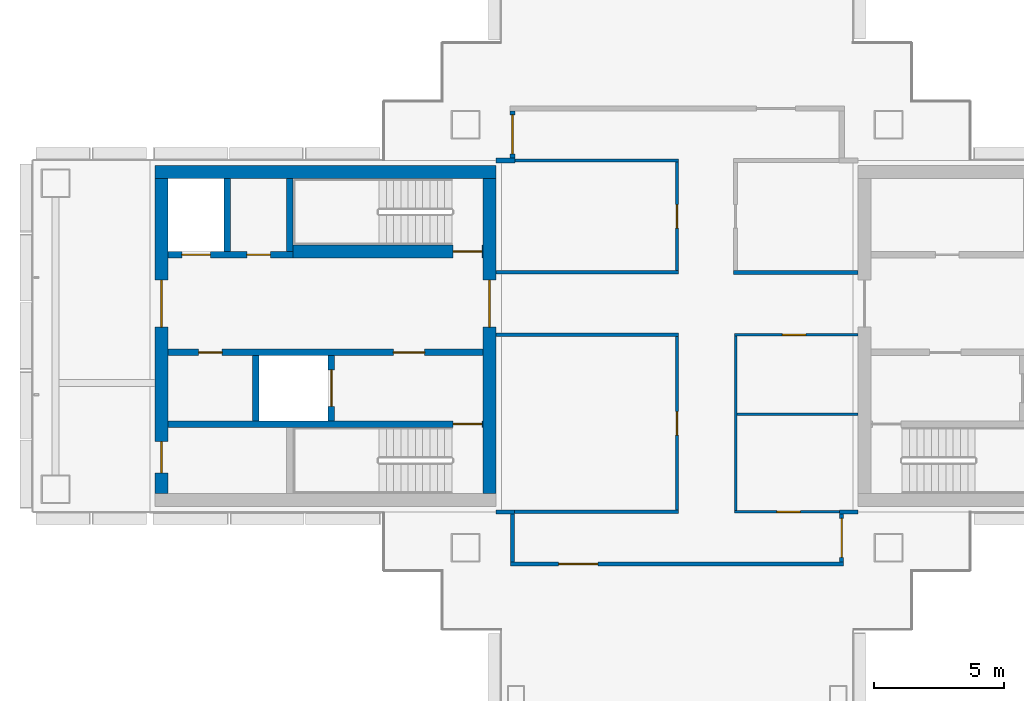
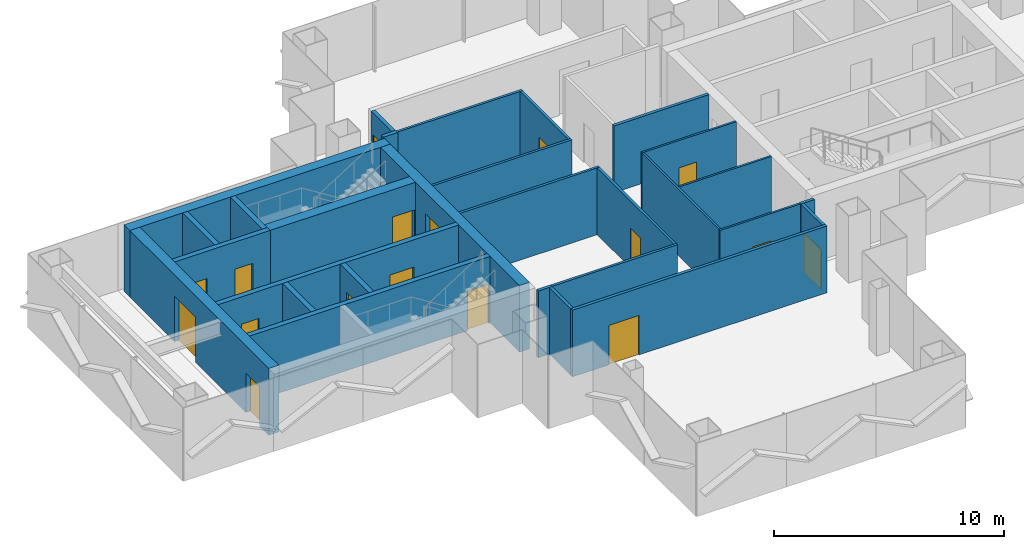
# One storey, part 9 of 16: 29 walls, 17 doors, 17 openings.
"""IFC4 building model written with IfcOpenShell, lengths in metres."""

from ifc_helpers import new_model, si_unit, direction, frame, frame_2d, origin, place, context, subcontext, project, spatial, rectangle, extrude, material, layer, layer_set, type_object, element, fill, save


model = new_model("IFC4")

# Units and contexts
model_context = context("Model", 3, precision=1e-05, world=origin(), true_north=direction((0.0, 1.0)))
body_context = subcontext(model_context, "Body", "Model", "MODEL_VIEW")
ifc_project = project(units=[si_unit("LENGTHUNIT", "METRE"), si_unit("AREAUNIT", "SQUARE_METRE"), si_unit("VOLUMEUNIT", "CUBIC_METRE"), si_unit("PLANEANGLEUNIT", "RADIAN"), si_unit("MASSUNIT", "GRAM", prefix="KILO")], contexts=[model_context])

# Site, building, storey
site_placement = place(None, origin())
site = spatial("IfcSite", under=ifc_project, at=site_placement, CompositionType="ELEMENT")
building_placement = place(site_placement, origin())
building = spatial("IfcBuilding", under=site, at=building_placement, Name="Shamsa Quay Exchange Towers", CompositionType="ELEMENT")
storey_placement = place(building_placement, frame((0.0, 0.0, 146.699951171875)))
storey = spatial("IfcBuildingStorey", under=building, at=storey_placement, Name="L34", CompositionType="ELEMENT", Elevation=146.699951171875)

# Wall, opening, door
ifc_material_1 = material(Name="Double-leaf gypsum board partition with acoustic insulation")
ifc_layer_1 = layer(ifc_material_1, 0.199951171875)
ifc_layer_set_1 = layer_set([ifc_layer_1], Name="Acoustic partition 200 mm EI 60")
wall_type_1 = type_object("IfcWallType", Name="Acoustic partition 200 mm EI 60", PredefinedType="PARTITIONING", material=ifc_layer_set_1)
wall_1_placement = place(storey_placement, frame((-40.0751953125, 8.64990234375, 0.0), z_axis=(0.0, 0.0, 1.0), x_axis=(0.0, -1.0, 0.0)))
wall_1 = element("IfcWall", 1, at=wall_1_placement, inside=storey, type_object=wall_type_1, Name="Partition T1-R16-W13", PredefinedType="PARTITIONING", context=body_context, shape_type="SweptSolid", body=[
    extrude(rectangle(XDim=1.7998046875, YDim=0.199951171875, at=frame_2d((0.89990234375, 0.0))), origin(), (0.0, 0.0, 1.0), 3.550048828125),
])
opening_1_placement = place(wall_1_placement, frame((0.14990234375, 0.0, 0.0)))
opening_1 = element("IfcOpeningElement", 2, at=opening_1_placement, cuts=wall_1, Name="Opening T1-R16-D02", PredefinedType="OPENING", context=body_context, shape_type="SweptSolid", body=[
    extrude(rectangle(XDim=1.5, YDim=2.39990234375, at=frame_2d((0.75, 1.199951171875))), frame((0.0, 0.10986328125, 0.0), z_axis=(0.0, -1.0, 0.0), x_axis=(1.0, 0.0, 0.0)), (0.0, 0.0, 1.0), 0.219970703125),
])
ifc_material_2 = material(Name="Timber door leaf in a metal frame", Category="wood")
door_type_1 = type_object("IfcDoorType", Name="Door 1500x2400 FD30S pair", OperationType="NOTDEFINED", PredefinedType="DOOR", material=ifc_material_2)
door_1_placement = place(opening_1_placement, origin())
door_1 = element("IfcDoor", 3, at=door_1_placement, inside=storey, type_object=door_type_1, Name="Door T1-R16-D02", OperationType="DOUBLE_DOOR_SINGLE_SWING", OverallHeight=2.39990234375, OverallWidth=1.5, PredefinedType="DOOR", context=body_context, shape_type="SweptSolid", body=[
    extrude(rectangle(XDim=1.5, YDim=2.39990234375, at=frame_2d((0.75, 1.199951171875))), frame((0.0, 0.02490234375, 0.0), z_axis=(0.0, -1.0, 0.0), x_axis=(1.0, 0.0, 0.0)), (0.0, 0.0, 1.0), 0.050048828125),
])
fill(opening_1, door_1)

# Walls
wall_2_placement = place(storey_placement, frame((-39.97509765625, 6.75, 0.0), z_axis=(0.0, 0.0, 1.0), x_axis=(-1.0, 0.0, 0.0)))
element("IfcWall", 4, at=wall_2_placement, inside=storey, type_object=wall_type_1, Name="Partition T1-R16-W20", PredefinedType="PARTITIONING", context=body_context, shape_type="SweptSolid", body=[
    extrude(rectangle(XDim=0.724853515625, YDim=0.199951171875, at=frame_2d((0.3623046875, 0.0))), origin(), (0.0, 0.0, 1.0), 3.550048828125),
])
ifc_material_3 = material(Name="Concrete C60/75", Category="concrete")
ifc_layer_2 = layer(ifc_material_3, 0.5)
ifc_layer_set_2 = layer_set([ifc_layer_2], Name="CORE WALL 500 C60/75")
wall_type_2 = type_object("IfcWallType", Name="CORE WALL 500 C60/75", PredefinedType="SHEAR", material=ifc_layer_set_2)
wall_3_placement = place(storey_placement, frame((-40.699951171875, 6.300048828125, 0.0), z_axis=(0.0, 0.0, 1.0), x_axis=(-1.0, 0.0, 0.0)))
element("IfcWall", 5, at=wall_3_placement, inside=storey, type_object=wall_type_2, Name="Core wall T1B-R16-PN", PredefinedType="SHEAR", context=body_context, shape_type="SweptSolid", body=[
    extrude(rectangle(XDim=13.10009765625, YDim=0.5, at=frame_2d((6.550048828125, 0.0))), origin(), (0.0, 0.0, 1.0), 3.550048828125),
])

# Wall, opening, door
wall_4_placement = place(storey_placement, frame((-40.949951171875, -6.050048828125, 0.0), z_axis=(0.0, 0.0, 1.0), x_axis=(0.0, 1.0, 0.0)))
wall_4 = element("IfcWall", 6, at=wall_4_placement, inside=storey, type_object=wall_type_2, Name="Core wall T1B-R16-PF", PredefinedType="SHEAR", context=body_context, shape_type="SweptSolid", body=[
    extrude(rectangle(XDim=12.10009765625, YDim=0.5, at=frame_2d((6.050048828125, 0.0))), origin(), (0.0, 0.0, 1.0), 3.550048828125),
])
opening_2_placement = place(wall_4_placement, frame((6.39990234375, 0.0, 0.0)))
opening_2 = element("IfcOpeningElement", 7, at=opening_2_placement, cuts=wall_4, Name="Opening T1B-R16-LBD01", PredefinedType="OPENING", context=body_context, shape_type="SweptSolid", body=[
    extrude(rectangle(XDim=1.800048828125, YDim=2.39990234375, at=frame_2d((0.89990234375, 1.199951171875))), frame((0.0, 0.260009765625, 0.0), z_axis=(0.0, -1.0, 0.0), x_axis=(1.0, 0.0, 0.0)), (0.0, 0.0, 1.0), 0.52001953125),
])
ifc_material_4 = material(Name="Steel, fire rated", Category="steel")
door_type_2 = type_object("IfcDoorType", Name="LIFT LOBBY DOOR PAIR 1800", OperationType="DOUBLE_DOOR_SINGLE_SWING", PredefinedType="DOOR", material=ifc_material_4)
door_2_placement = place(opening_2_placement, origin())
door_2 = element("IfcDoor", 8, at=door_2_placement, inside=storey, type_object=door_type_2, Name="T1B-R16-LBD01", OperationType="DOUBLE_DOOR_SINGLE_SWING", OverallHeight=2.39990234375, OverallWidth=1.800048828125, PredefinedType="DOOR", context=body_context, shape_type="SweptSolid", body=[
    extrude(rectangle(XDim=1.800048828125, YDim=2.39990234375, at=frame_2d((0.89990234375, 1.199951171875))), frame((0.0, 0.02490234375, 0.0), z_axis=(0.0, -1.0, 0.0), x_axis=(1.0, 0.0, 0.0)), (0.0, 0.0, 1.0), 0.050048828125),
])
fill(opening_2, door_2)

# Wall, openings, doors
wall_5_placement = place(storey_placement, frame((-53.550048828125, -6.050048828125, 0.0), z_axis=(0.0, 0.0, 1.0), x_axis=(0.0, 1.0, 0.0)))
wall_5 = element("IfcWall", 9, at=wall_5_placement, inside=storey, type_object=wall_type_2, Name="Core wall T1B-R16-PB", PredefinedType="SHEAR", context=body_context, shape_type="SweptSolid", body=[
    extrude(rectangle(XDim=12.10009765625, YDim=0.5, at=frame_2d((6.050048828125, 0.0))), origin(), (0.0, 0.0, 1.0), 3.550048828125),
])
opening_3_placement = place(wall_5_placement, frame((0.800048828125, 0.0, 0.0)))
opening_3 = element("IfcOpeningElement", 10, at=opening_3_placement, cuts=wall_5, Name="Opening T1B-R16-RD02", PredefinedType="OPENING", context=body_context, shape_type="SweptSolid", body=[
    extrude(rectangle(XDim=1.199951171875, YDim=2.10009765625, at=frame_2d((0.60009765625, 1.050048828125))), frame((0.0, 0.260009765625, 0.0), z_axis=(0.0, -1.0, 0.0), x_axis=(1.0, 0.0, 0.0)), (0.0, 0.0, 1.0), 0.52001953125),
])
opening_4_placement = place(wall_5_placement, frame((6.39990234375, 0.0, 0.0)))
opening_4 = element("IfcOpeningElement", 11, at=opening_4_placement, cuts=wall_5, Name="Opening T1B-R16-LBD03", PredefinedType="OPENING", context=body_context, shape_type="SweptSolid", body=[
    extrude(rectangle(XDim=1.800048828125, YDim=2.39990234375, at=frame_2d((0.89990234375, 1.199951171875))), frame((0.0, 0.260009765625, 0.0), z_axis=(0.0, -1.0, 0.0), x_axis=(1.0, 0.0, 0.0)), (0.0, 0.0, 1.0), 0.52001953125),
])
door_3_placement = place(opening_4_placement, origin())
door_3 = element("IfcDoor", 12, at=door_3_placement, inside=storey, type_object=door_type_2, Name="T1B-R16-LBD03", OperationType="DOUBLE_DOOR_SINGLE_SWING", OverallHeight=2.39990234375, OverallWidth=1.800048828125, PredefinedType="DOOR", context=body_context, shape_type="SweptSolid", body=[
    extrude(rectangle(XDim=1.800048828125, YDim=2.39990234375, at=frame_2d((0.89990234375, 1.199951171875))), frame((0.0, 0.02490234375, 0.0), z_axis=(0.0, -1.0, 0.0), x_axis=(1.0, 0.0, 0.0)), (0.0, 0.0, 1.0), 0.050048828125),
])
fill(opening_4, door_3)
door_type_3 = type_object("IfcDoorType", Name="RISER ACCESS DOOR 1200", OperationType="SINGLE_SWING_LEFT", PredefinedType="DOOR", material=ifc_material_4)
door_4_placement = place(opening_3_placement, origin())
door_4 = element("IfcDoor", 13, at=door_4_placement, inside=storey, type_object=door_type_3, Name="T1B-R16-RD02", OperationType="SINGLE_SWING_LEFT", OverallHeight=2.10009765625, OverallWidth=1.199951171875, PredefinedType="DOOR", context=body_context, shape_type="SweptSolid", body=[
    extrude(rectangle(XDim=1.199951171875, YDim=2.10009765625, at=frame_2d((0.60009765625, 1.050048828125))), frame((0.0, 0.02490234375, 0.0), z_axis=(0.0, -1.0, 0.0), x_axis=(1.0, 0.0, 0.0)), (0.0, 0.0, 1.0), 0.050048828125),
])
fill(opening_3, door_4)

# Wall
ifc_material_5 = material(Name="Laminated fire-resisting glass in a metal frame", Category="glass")
ifc_layer_3 = layer(ifc_material_5, 0.125)
ifc_layer_set_3 = layer_set([ifc_layer_3], Name="Glazed partition 125 mm EI 60")
wall_type_3 = type_object("IfcWallType", Name="Glazed partition 125 mm EI 60", PredefinedType="PARTITIONING", material=ifc_layer_set_3)
wall_6_placement = place(storey_placement, frame((-40.699951171875, 2.4501953125, 0.0)))
element("IfcWall", 14, at=wall_6_placement, inside=storey, type_object=wall_type_3, Name="Partition T1-R16-W07", PredefinedType="PARTITIONING", context=body_context, shape_type="SweptSolid", body=[
    extrude(rectangle(XDim=7.012451171875, YDim=0.125, at=frame_2d((3.50634765625, 0.0))), origin(), (0.0, 0.0, 1.0), 3.550048828125),
])

# Wall, opening, door
wall_7_placement = place(storey_placement, frame((-33.75, -6.6875, 0.0), z_axis=(0.0, 0.0, 1.0), x_axis=(0.0, 1.0, 0.0)))
wall_7 = element("IfcWall", 15, at=wall_7_placement, inside=storey, type_object=wall_type_3, Name="Partition T1-R16-W08", PredefinedType="PARTITIONING", context=body_context, shape_type="SweptSolid", body=[
    extrude(rectangle(XDim=6.6748046875, YDim=0.125, at=frame_2d((3.33740234375, 0.0))), origin(), (0.0, 0.0, 1.0), 3.550048828125),
])
opening_5_placement = place(wall_7_placement, frame((2.887451171875, 0.0, 0.0)))
opening_5 = element("IfcOpeningElement", 16, at=opening_5_placement, cuts=wall_7, Name="Opening T1-R16-D03", PredefinedType="OPENING", context=body_context, shape_type="SweptSolid", body=[
    extrude(rectangle(XDim=0.89990234375, YDim=2.10009765625, at=frame_2d((0.449951171875, 1.050048828125))), frame((0.0, 0.072509765625, 0.0), z_axis=(0.0, -1.0, 0.0), x_axis=(1.0, 0.0, 0.0)), (0.0, 0.0, 1.0), 0.14501953125),
])
door_type_4 = type_object("IfcDoorType", Name="Door 900x2100 FD30S", OperationType="NOTDEFINED", PredefinedType="DOOR", material=ifc_material_2)
door_5_placement = place(opening_5_placement, origin())
door_5 = element("IfcDoor", 17, at=door_5_placement, inside=storey, type_object=door_type_4, Name="Door T1-R16-D03", OperationType="SINGLE_SWING_RIGHT", OverallHeight=2.10009765625, OverallWidth=0.89990234375, PredefinedType="DOOR", context=body_context, shape_type="SweptSolid", body=[
    extrude(rectangle(XDim=0.89990234375, YDim=2.10009765625, at=frame_2d((0.449951171875, 1.050048828125))), frame((0.0, 0.02490234375, 0.0), z_axis=(0.0, -1.0, 0.0), x_axis=(1.0, 0.0, 0.0)), (0.0, 0.0, 1.0), 0.050048828125),
])
fill(opening_5, door_5)

wall_8_placement = place(storey_placement, frame((-33.75, 2.5126953125, 0.0), z_axis=(0.0, 0.0, 1.0), x_axis=(0.0, 1.0, 0.0)))
wall_8 = element("IfcWall", 18, at=wall_8_placement, inside=storey, type_object=wall_type_3, Name="Partition T1-R16-W09", PredefinedType="PARTITIONING", context=body_context, shape_type="SweptSolid", body=[
    extrude(rectangle(XDim=4.1748046875, YDim=0.125, at=frame_2d((2.08740234375, 0.0))), origin(), (0.0, 0.0, 1.0), 3.550048828125),
])
opening_6_placement = place(wall_8_placement, frame((1.637451171875, 0.0, 0.0)))
opening_6 = element("IfcOpeningElement", 19, at=opening_6_placement, cuts=wall_8, Name="Opening T1-R16-D04", PredefinedType="OPENING", context=body_context, shape_type="SweptSolid", body=[
    extrude(rectangle(XDim=0.89990234375, YDim=2.10009765625, at=frame_2d((0.449951171875, 1.050048828125))), frame((0.0, 0.072509765625, 0.0), z_axis=(0.0, -1.0, 0.0), x_axis=(1.0, 0.0, 0.0)), (0.0, 0.0, 1.0), 0.14501953125),
])
door_6_placement = place(opening_6_placement, origin())
door_6 = element("IfcDoor", 20, at=door_6_placement, inside=storey, type_object=door_type_4, Name="Door T1-R16-D04", OperationType="SINGLE_SWING_RIGHT", OverallHeight=2.10009765625, OverallWidth=0.89990234375, PredefinedType="DOOR", context=body_context, shape_type="SweptSolid", body=[
    extrude(rectangle(XDim=0.89990234375, YDim=2.10009765625, at=frame_2d((0.449951171875, 1.050048828125))), frame((0.0, 0.02490234375, 0.0), z_axis=(0.0, -1.0, 0.0), x_axis=(1.0, 0.0, 0.0)), (0.0, 0.0, 1.0), 0.050048828125),
])
fill(opening_6, door_6)

# Walls
wall_9_placement = place(storey_placement, frame((-33.6875, 6.75, 0.0), z_axis=(0.0, 0.0, 1.0), x_axis=(-1.0, 0.0, 0.0)))
element("IfcWall", 21, at=wall_9_placement, inside=storey, type_object=wall_type_3, Name="Partition T1-R16-W10", PredefinedType="PARTITIONING", context=body_context, shape_type="SweptSolid", body=[
    extrude(rectangle(XDim=6.48779296875, YDim=0.125, at=frame_2d((3.243896484375, 0.0))), origin(), (0.0, 0.0, 1.0), 3.550048828125),
])
wall_10_placement = place(storey_placement, frame((-40.150146484375, -6.75, 0.0)))
element("IfcWall", 22, at=wall_10_placement, inside=storey, type_object=wall_type_3, Name="Partition T1-R16-W11", PredefinedType="PARTITIONING", context=body_context, shape_type="SweptSolid", body=[
    extrude(rectangle(XDim=6.462646484375, YDim=0.125, at=frame_2d((3.2314453125, 0.0))), origin(), (0.0, 0.0, 1.0), 3.550048828125),
])
wall_11_placement = place(storey_placement, frame((-33.6875, 0.0498046875, 0.0), z_axis=(0.0, 0.0, 1.0), x_axis=(-1.0, 0.0, 0.0)))
element("IfcWall", 23, at=wall_11_placement, inside=storey, type_object=wall_type_3, Name="Partition T1-R16-W12", PredefinedType="PARTITIONING", context=body_context, shape_type="SweptSolid", body=[
    extrude(rectangle(XDim=7.012451171875, YDim=0.125, at=frame_2d((3.50634765625, 0.0))), origin(), (0.0, 0.0, 1.0), 3.550048828125),
])
ifc_material_6 = material(Name="Gypsum board partition on metal studs")
ifc_layer_4 = layer(ifc_material_6, 0.10009765625)
ifc_layer_set_4 = layer_set([ifc_layer_4], Name="Partition 100 mm NOT RATED")
wall_type_4 = type_object("IfcWallType", Name="Partition 100 mm NOT RATED", PredefinedType="PARTITIONING", material=ifc_layer_set_4)
wall_12_placement = place(storey_placement, frame((-31.5, -0.000244140625, 0.0), z_axis=(0.0, 0.0, 1.0), x_axis=(0.0, -1.0, 0.0)))
element("IfcWall", 24, at=wall_12_placement, inside=storey, type_object=wall_type_4, Name="Partition T1-R16-W04", PredefinedType="PARTITIONING", context=body_context, shape_type="SweptSolid", body=[
    extrude(rectangle(XDim=6.69970703125, YDim=0.10009765625, at=frame_2d((3.349853515625, 0.0))), origin(), (0.0, 0.0, 1.0), 3.550048828125),
])

# Wall, opening, door
wall_13_placement = place(storey_placement, frame((-31.550048828125, -6.75, 0.0)))
wall_13 = element("IfcWall", 25, at=wall_13_placement, inside=storey, type_object=wall_type_4, Name="Partition T1-R16-W05", PredefinedType="PARTITIONING", context=body_context, shape_type="SweptSolid", body=[
    extrude(rectangle(XDim=4.2001953125, YDim=0.10009765625, at=frame_2d((2.10009765625, 0.0))), origin(), (0.0, 0.0, 1.0), 3.550048828125),
])
opening_7_placement = place(wall_13_placement, frame((1.6376953125, 0.0, 0.0)))
opening_7 = element("IfcOpeningElement", 26, at=opening_7_placement, cuts=wall_13, Name="Opening T1-R16-D05", PredefinedType="OPENING", context=body_context, shape_type="SweptSolid", body=[
    extrude(rectangle(XDim=0.89990234375, YDim=2.10009765625, at=frame_2d((0.449951171875, 1.050048828125))), frame((0.0, 0.06005859375, 0.0), z_axis=(0.0, -1.0, 0.0), x_axis=(1.0, 0.0, 0.0)), (0.0, 0.0, 1.0), 0.1201171875),
])
door_type_5 = type_object("IfcDoorType", Name="Door 900x2100 NOT RATED", OperationType="NOTDEFINED", PredefinedType="DOOR", material=ifc_material_2)
door_7_placement = place(opening_7_placement, origin())
door_7 = element("IfcDoor", 27, at=door_7_placement, inside=storey, type_object=door_type_5, Name="Door T1-R16-D05", OperationType="SINGLE_SWING_RIGHT", OverallHeight=2.10009765625, OverallWidth=0.89990234375, PredefinedType="DOOR", context=body_context, shape_type="SweptSolid", body=[
    extrude(rectangle(XDim=0.89990234375, YDim=2.10009765625, at=frame_2d((0.449951171875, 1.050048828125))), frame((0.0, 0.02490234375, 0.0), z_axis=(0.0, -1.0, 0.0), x_axis=(1.0, 0.0, 0.0)), (0.0, 0.0, 1.0), 0.050048828125),
])
fill(opening_7, door_7)

wall_14_placement = place(storey_placement, frame((-26.800048828125, 0.0498046875, 0.0), z_axis=(0.0, 0.0, 1.0), x_axis=(-1.0, 0.0, 0.0)))
wall_14 = element("IfcWall", 28, at=wall_14_placement, inside=storey, type_object=wall_type_4, Name="Partition T1-R16-W06", PredefinedType="PARTITIONING", context=body_context, shape_type="SweptSolid", body=[
    extrude(rectangle(XDim=4.75, YDim=0.10009765625, at=frame_2d((2.375, 0.0))), origin(), (0.0, 0.0, 1.0), 3.550048828125),
])
opening_8_placement = place(wall_14_placement, frame((2.0, 0.0, 0.0)))
opening_8 = element("IfcOpeningElement", 29, at=opening_8_placement, cuts=wall_14, Name="Opening T1-R16-D09", PredefinedType="OPENING", context=body_context, shape_type="SweptSolid", body=[
    extrude(rectangle(XDim=0.89990234375, YDim=2.10009765625, at=frame_2d((0.449951171875, 1.050048828125))), frame((0.0, 0.06005859375, 0.0), z_axis=(0.0, -1.0, 0.0), x_axis=(1.0, 0.0, 0.0)), (0.0, 0.0, 1.0), 0.1201171875),
])
door_8_placement = place(opening_8_placement, origin())
door_8 = element("IfcDoor", 30, at=door_8_placement, inside=storey, type_object=door_type_5, Name="Door T1-R16-D09", OperationType="SINGLE_SWING_RIGHT", OverallHeight=2.10009765625, OverallWidth=0.89990234375, PredefinedType="DOOR", context=body_context, shape_type="SweptSolid", body=[
    extrude(rectangle(XDim=0.89990234375, YDim=2.10009765625, at=frame_2d((0.449951171875, 1.050048828125))), frame((0.0, 0.02490234375, 0.0), z_axis=(0.0, -1.0, 0.0), x_axis=(1.0, 0.0, 0.0)), (0.0, 0.0, 1.0), 0.050048828125),
])
fill(opening_8, door_8)

# Walls
wall_15_placement = place(storey_placement, frame((-26.800048828125, -3.0, 0.0), z_axis=(0.0, 0.0, 1.0), x_axis=(-1.0, 0.0, 0.0)))
element("IfcWall", 31, at=wall_15_placement, inside=storey, type_object=wall_type_4, Name="Partition T1-R16-W21", PredefinedType="PARTITIONING", context=body_context, shape_type="SweptSolid", body=[
    extrude(rectangle(XDim=4.64990234375, YDim=0.10009765625, at=frame_2d((2.324951171875, 0.0))), origin(), (0.0, 0.0, 1.0), 3.550048828125),
])
ifc_layer_5 = layer(ifc_material_6, 0.14990234375)
ifc_layer_set_5 = layer_set([ifc_layer_5], Name="Partition 150 mm EI 60")
wall_type_5 = type_object("IfcWallType", Name="Partition 150 mm EI 60", PredefinedType="PARTITIONING", material=ifc_layer_set_5)
wall_16_placement = place(storey_placement, frame((-31.574951171875, 2.4501953125, 0.0)))
element("IfcWall", 32, at=wall_16_placement, inside=storey, type_object=wall_type_5, Name="Partition T1-R16-W03", PredefinedType="PARTITIONING", context=body_context, shape_type="SweptSolid", body=[
    extrude(rectangle(XDim=4.77490234375, YDim=0.14990234375, at=frame_2d((2.387451171875, 0.0))), origin(), (0.0, 0.0, 1.0), 3.550048828125),
])

# Wall, opening, door
wall_17_placement = place(storey_placement, frame((-27.4248046875, -8.675048828125, 0.0), z_axis=(0.0, 0.0, 1.0), x_axis=(0.0, 1.0, 0.0)))
wall_17 = element("IfcWall", 33, at=wall_17_placement, inside=storey, type_object=wall_type_5, Name="Partition T1-R16-W16", PredefinedType="PARTITIONING", context=body_context, shape_type="SweptSolid", body=[
    extrude(rectangle(XDim=1.85009765625, YDim=0.14990234375, at=frame_2d((0.925048828125, 0.0))), origin(), (0.0, 0.0, 1.0), 3.550048828125),
])
opening_9_placement = place(wall_17_placement, frame((0.175048828125, 0.0, 0.0)))
opening_9 = element("IfcOpeningElement", 34, at=opening_9_placement, cuts=wall_17, Name="Opening T1-R16-D07", PredefinedType="OPENING", context=body_context, shape_type="SweptSolid", body=[
    extrude(rectangle(XDim=1.5, YDim=2.10009765625, at=frame_2d((0.75, 1.050048828125))), frame((0.0, 0.0849609375, 0.0), z_axis=(0.0, -1.0, 0.0), x_axis=(1.0, 0.0, 0.0)), (0.0, 0.0, 1.0), 0.169921875),
])
door_type_6 = type_object("IfcDoorType", Name="Door 1500x2100 FD30S pair", OperationType="NOTDEFINED", PredefinedType="DOOR", material=ifc_material_2)
door_9_placement = place(opening_9_placement, origin())
door_9 = element("IfcDoor", 35, at=door_9_placement, inside=storey, type_object=door_type_6, Name="Door T1-R16-D07", OperationType="DOUBLE_DOOR_SINGLE_SWING", OverallHeight=2.10009765625, OverallWidth=1.5, PredefinedType="DOOR", context=body_context, shape_type="SweptSolid", body=[
    extrude(rectangle(XDim=1.5, YDim=2.10009765625, at=frame_2d((0.75, 1.050048828125))), frame((0.0, 0.02490234375, 0.0), z_axis=(0.0, -1.0, 0.0), x_axis=(1.0, 0.0, 0.0)), (0.0, 0.0, 1.0), 0.050048828125),
])
fill(opening_9, door_9)

wall_18_placement = place(storey_placement, frame((-40.150146484375, -8.75, 0.0)))
wall_18 = element("IfcWall", 36, at=wall_18_placement, inside=storey, type_object=wall_type_5, Name="Partition T1-R16-W17", PredefinedType="PARTITIONING", context=body_context, shape_type="SweptSolid", body=[
    extrude(rectangle(XDim=12.80029296875, YDim=0.14990234375, at=frame_2d((6.400146484375, 0.0))), origin(), (0.0, 0.0, 1.0), 3.550048828125),
])
opening_10_placement = place(wall_18_placement, frame((1.85498046875, 0.0, 0.0)))
opening_10 = element("IfcOpeningElement", 37, at=opening_10_placement, cuts=wall_18, Name="Opening T1-R16-D01", PredefinedType="OPENING", context=body_context, shape_type="SweptSolid", body=[
    extrude(rectangle(XDim=1.5, YDim=2.10009765625, at=frame_2d((0.75, 1.050048828125))), frame((0.0, 0.0849609375, 0.0), z_axis=(0.0, -1.0, 0.0), x_axis=(1.0, 0.0, 0.0)), (0.0, 0.0, 1.0), 0.169921875),
])
door_10_placement = place(opening_10_placement, origin())
door_10 = element("IfcDoor", 38, at=door_10_placement, inside=storey, type_object=door_type_6, Name="Door T1-R16-D01", OperationType="DOUBLE_DOOR_SINGLE_SWING", OverallHeight=2.10009765625, OverallWidth=1.5, PredefinedType="DOOR", context=body_context, shape_type="SweptSolid", body=[
    extrude(rectangle(XDim=1.5, YDim=2.10009765625, at=frame_2d((0.75, 1.050048828125))), frame((0.0, 0.02490234375, 0.0), z_axis=(0.0, -1.0, 0.0), x_axis=(1.0, 0.0, 0.0)), (0.0, 0.0, 1.0), 0.050048828125),
])
fill(opening_10, door_10)

# Walls
wall_19_placement = place(storey_placement, frame((-40.0751953125, -6.824951171875, 0.0), z_axis=(0.0, 0.0, 1.0), x_axis=(0.0, -1.0, 0.0)))
element("IfcWall", 39, at=wall_19_placement, inside=storey, type_object=wall_type_5, Name="Partition T1-R16-W18", PredefinedType="PARTITIONING", context=body_context, shape_type="SweptSolid", body=[
    extrude(rectangle(XDim=1.85009765625, YDim=0.14990234375, at=frame_2d((0.925048828125, 0.0))), origin(), (0.0, 0.0, 1.0), 3.550048828125),
])
for number, where, name in (
    (40, (-40.699951171875, -6.75, 0.0), "Partition T1-R16-W22"),
    (41, (-27.499755859375, -6.75, 0.0), "Partition T1-R16-W23"),
):
    element("IfcWall", number, at=place(storey_placement, frame(where)), inside=storey, type_object=wall_type_5, Name=name, PredefinedType="PARTITIONING", context=body_context, shape_type="SweptSolid", body=[
        extrude(rectangle(XDim=0.69970703125, YDim=0.14990234375, at=frame_2d((0.349853515625, 0.0))), origin(), (0.0, 0.0, 1.0), 3.550048828125),
    ])

# Wall, opening, door
ifc_material_7 = material(Name="Concrete C50/60", Category="concrete")
ifc_layer_6 = layer(ifc_material_7, 0.25)
ifc_layer_set_6 = layer_set([ifc_layer_6], Name="SHAFT WALL 250 C50/60")
wall_type_6 = type_object("IfcWallType", Name="SHAFT WALL 250 C50/60", PredefinedType="SHEAR", material=ifc_layer_set_6)
wall_20_placement = place(storey_placement, frame((-41.199951171875, -3.375, 0.0), z_axis=(0.0, 0.0, 1.0), x_axis=(-1.0, 0.0, 0.0)))
wall_20 = element("IfcWall", 42, at=wall_20_placement, inside=storey, type_object=wall_type_6, Name="Shaft wall T1B-R16-STL", PredefinedType="SHEAR", context=body_context, shape_type="SweptSolid", body=[
    extrude(rectangle(XDim=12.10009765625, YDim=0.25, at=frame_2d((6.050048828125, 0.0))), origin(), (0.0, 0.0, 1.0), 3.550048828125),
])
opening_11_placement = place(wall_20_placement, frame((0.050048828125, 0.0, 0.0)))
opening_11 = element("IfcOpeningElement", 43, at=opening_11_placement, cuts=wall_20, Name="Opening T1B-R16-SD04", PredefinedType="OPENING", context=body_context, shape_type="SweptSolid", body=[
    extrude(rectangle(XDim=1.10009765625, YDim=2.10009765625, at=frame_2d((0.550048828125, 1.050048828125))), frame((0.0, 0.135009765625, 0.0), z_axis=(0.0, -1.0, 0.0), x_axis=(1.0, 0.0, 0.0)), (0.0, 0.0, 1.0), 0.27001953125),
])
door_type_7 = type_object("IfcDoorType", Name="STAIR DOOR 1100", OperationType="SINGLE_SWING_LEFT", PredefinedType="DOOR", material=ifc_material_4)
door_11_placement = place(opening_11_placement, origin())
door_11 = element("IfcDoor", 44, at=door_11_placement, inside=storey, type_object=door_type_7, Name="T1B-R16-SD04", OperationType="SINGLE_SWING_LEFT", OverallHeight=2.10009765625, OverallWidth=1.10009765625, PredefinedType="DOOR", context=body_context, shape_type="SweptSolid", body=[
    extrude(rectangle(XDim=1.10009765625, YDim=2.10009765625, at=frame_2d((0.550048828125, 1.050048828125))), frame((0.0, 0.02490234375, 0.0), z_axis=(0.0, -1.0, 0.0), x_axis=(1.0, 0.0, 0.0)), (0.0, 0.0, 1.0), 0.050048828125),
])
fill(opening_11, door_11)

# Wall, openings, doors
wall_21_placement = place(storey_placement, frame((-41.199951171875, -0.625, 0.0), z_axis=(0.0, 0.0, 1.0), x_axis=(-1.0, 0.0, 0.0)))
wall_21 = element("IfcWall", 45, at=wall_21_placement, inside=storey, type_object=wall_type_6, Name="Shaft wall T1B-R16-B", PredefinedType="SHEAR", context=body_context, shape_type="SweptSolid", body=[
    extrude(rectangle(XDim=12.10009765625, YDim=0.25, at=frame_2d((6.050048828125, 0.0))), origin(), (0.0, 0.0, 1.0), 3.550048828125),
])
opening_12_placement = place(wall_21_placement, frame((2.25, 0.0, 0.0)))
opening_12 = element("IfcOpeningElement", 46, at=opening_12_placement, cuts=wall_21, Name="Opening T1B-R16-FD05", PredefinedType="OPENING", context=body_context, shape_type="SweptSolid", body=[
    extrude(rectangle(XDim=1.199951171875, YDim=2.10009765625, at=frame_2d((0.60009765625, 1.050048828125))), frame((0.0, 0.135009765625, 0.0), z_axis=(0.0, -1.0, 0.0), x_axis=(1.0, 0.0, 0.0)), (0.0, 0.0, 1.0), 0.27001953125),
])
opening_13_placement = place(wall_21_placement, frame((10.02490234375, 0.0, 0.0)))
opening_13 = element("IfcOpeningElement", 47, at=opening_13_placement, cuts=wall_21, Name="Opening T1B-R16-SV06", PredefinedType="OPENING", context=body_context, shape_type="SweptSolid", body=[
    extrude(rectangle(XDim=0.89990234375, YDim=2.10009765625, at=frame_2d((0.449951171875, 1.050048828125))), frame((0.0, 0.135009765625, 0.0), z_axis=(0.0, -1.0, 0.0), x_axis=(1.0, 0.0, 0.0)), (0.0, 0.0, 1.0), 0.27001953125),
])
door_type_8 = type_object("IfcDoorType", Name="FIRE SERVICE LOBBY DOOR 1200", OperationType="SINGLE_SWING_LEFT", PredefinedType="DOOR", material=ifc_material_4)
door_12_placement = place(opening_12_placement, origin())
door_12 = element("IfcDoor", 48, at=door_12_placement, inside=storey, type_object=door_type_8, Name="T1B-R16-FD05", OperationType="SINGLE_SWING_LEFT", OverallHeight=2.10009765625, OverallWidth=1.199951171875, PredefinedType="DOOR", context=body_context, shape_type="SweptSolid", body=[
    extrude(rectangle(XDim=1.199951171875, YDim=2.10009765625, at=frame_2d((0.60009765625, 1.050048828125))), frame((0.0, 0.02490234375, 0.0), z_axis=(0.0, -1.0, 0.0), x_axis=(1.0, 0.0, 0.0)), (0.0, 0.0, 1.0), 0.050048828125),
])
fill(opening_12, door_12)
door_type_9 = type_object("IfcDoorType", Name="SERVICE ROOM DOOR 900", OperationType="SINGLE_SWING_LEFT", PredefinedType="DOOR", material=ifc_material_4)
door_13_placement = place(opening_13_placement, origin())
door_13 = element("IfcDoor", 49, at=door_13_placement, inside=storey, type_object=door_type_9, Name="T1B-R16-SV06", OperationType="SINGLE_SWING_RIGHT", OverallHeight=2.10009765625, OverallWidth=0.89990234375, PredefinedType="DOOR", context=body_context, shape_type="SweptSolid", body=[
    extrude(rectangle(XDim=0.89990234375, YDim=2.10009765625, at=frame_2d((0.449951171875, 1.050048828125))), frame((0.0, 0.02490234375, 0.0), z_axis=(0.0, -1.0, 0.0), x_axis=(1.0, 0.0, 0.0)), (0.0, 0.0, 1.0), 0.050048828125),
])
fill(opening_13, door_13)

# Wall, opening, door
wall_22_placement = place(storey_placement, frame((-47.02490234375, -3.25, 0.0), z_axis=(0.0, 0.0, 1.0), x_axis=(0.0, 1.0, 0.0)))
wall_22 = element("IfcWall", 50, at=wall_22_placement, inside=storey, type_object=wall_type_6, Name="Shaft wall T1B-R16-FFF", PredefinedType="SHEAR", context=body_context, shape_type="SweptSolid", body=[
    extrude(rectangle(XDim=2.5, YDim=0.25, at=frame_2d((1.25, 0.0))), origin(), (0.0, 0.0, 1.0), 3.550048828125),
])
opening_14_placement = place(wall_22_placement, frame((0.550048828125, 0.0, 0.0)))
opening_14 = element("IfcOpeningElement", 51, at=opening_14_placement, cuts=wall_22, Name="Opening T1B-R16-LDG07", PredefinedType="OPENING", context=body_context, shape_type="SweptSolid", body=[
    extrude(rectangle(XDim=1.39990234375, YDim=2.39990234375, at=frame_2d((0.699951171875, 1.199951171875))), frame((0.0, 0.135009765625, 0.0), z_axis=(0.0, -1.0, 0.0), x_axis=(1.0, 0.0, 0.0)), (0.0, 0.0, 1.0), 0.27001953125),
])
door_type_10 = type_object("IfcDoorType", Name="GOODS LIFT LANDING DOOR 1400", OperationType="SLIDING_TO_LEFT", PredefinedType="DOOR", material=ifc_material_4)
door_14_placement = place(opening_14_placement, origin())
door_14 = element("IfcDoor", 52, at=door_14_placement, inside=storey, type_object=door_type_10, Name="T1B-R16-LDG07", OperationType="SLIDING_TO_LEFT", OverallHeight=2.39990234375, OverallWidth=1.39990234375, PredefinedType="DOOR", context=body_context, shape_type="SweptSolid", body=[
    extrude(rectangle(XDim=1.39990234375, YDim=2.39990234375, at=frame_2d((0.699951171875, 1.199951171875))), frame((0.0, 0.02490234375, 0.0), z_axis=(0.0, -1.0, 0.0), x_axis=(1.0, 0.0, 0.0)), (0.0, 0.0, 1.0), 0.050048828125),
])
fill(opening_14, door_14)

# Wall
wall_23_placement = place(storey_placement, frame((-49.925048828125, -3.25, 0.0), z_axis=(0.0, 0.0, 1.0), x_axis=(0.0, 1.0, 0.0)))
element("IfcWall", 53, at=wall_23_placement, inside=storey, type_object=wall_type_6, Name="Shaft wall T1B-R16-FFB", PredefinedType="SHEAR", context=body_context, shape_type="SweptSolid", body=[
    extrude(rectangle(XDim=2.5, YDim=0.25, at=frame_2d((1.25, 0.0))), origin(), (0.0, 0.0, 1.0), 3.550048828125),
])

# Wall, openings, doors
wall_24_placement = place(storey_placement, frame((-53.300048828125, 3.125, 0.0)))
wall_24 = element("IfcWall", 54, at=wall_24_placement, inside=storey, type_object=wall_type_6, Name="Shaft wall T1B-R16-N2", PredefinedType="SHEAR", context=body_context, shape_type="SweptSolid", body=[
    extrude(rectangle(XDim=4.800048828125, YDim=0.25, at=frame_2d((2.39990234375, 0.0))), origin(), (0.0, 0.0, 1.0), 3.550048828125),
])
opening_15_placement = place(wall_24_placement, frame((0.52490234375, 0.0, 0.0)))
opening_15 = element("IfcOpeningElement", 55, at=opening_15_placement, cuts=wall_24, Name="Opening T1B-R16-LD09", PredefinedType="OPENING", context=body_context, shape_type="SweptSolid", body=[
    extrude(rectangle(XDim=1.10009765625, YDim=2.10009765625, at=frame_2d((0.550048828125, 1.050048828125))), frame((0.0, 0.135009765625, 0.0), z_axis=(0.0, -1.0, 0.0), x_axis=(1.0, 0.0, 0.0)), (0.0, 0.0, 1.0), 0.27001953125),
])
opening_16_placement = place(wall_24_placement, frame((3.02490234375, 0.0, 0.0)))
opening_16 = element("IfcOpeningElement", 56, at=opening_16_placement, cuts=wall_24, Name="Opening T1B-R16-SV10", PredefinedType="OPENING", context=body_context, shape_type="SweptSolid", body=[
    extrude(rectangle(XDim=0.89990234375, YDim=2.10009765625, at=frame_2d((0.449951171875, 1.050048828125))), frame((0.0, 0.135009765625, 0.0), z_axis=(0.0, -1.0, 0.0), x_axis=(1.0, 0.0, 0.0)), (0.0, 0.0, 1.0), 0.27001953125),
])
door_type_11 = type_object("IfcDoorType", Name="LANDING DOOR 1100", OperationType="SLIDING_TO_LEFT", PredefinedType="DOOR", material=ifc_material_4)
door_15_placement = place(opening_15_placement, origin())
door_15 = element("IfcDoor", 57, at=door_15_placement, inside=storey, type_object=door_type_11, Name="T1B-R16-LD09", OperationType="SLIDING_TO_LEFT", OverallHeight=2.10009765625, OverallWidth=1.10009765625, PredefinedType="DOOR", context=body_context, shape_type="SweptSolid", body=[
    extrude(rectangle(XDim=1.10009765625, YDim=2.10009765625, at=frame_2d((0.550048828125, 1.050048828125))), frame((0.0, 0.02490234375, 0.0), z_axis=(0.0, -1.0, 0.0), x_axis=(1.0, 0.0, 0.0)), (0.0, 0.0, 1.0), 0.050048828125),
])
fill(opening_15, door_15)
door_16_placement = place(opening_16_placement, origin())
door_16 = element("IfcDoor", 58, at=door_16_placement, inside=storey, type_object=door_type_9, Name="T1B-R16-SV10", OperationType="SINGLE_SWING_RIGHT", OverallHeight=2.10009765625, OverallWidth=0.89990234375, PredefinedType="DOOR", context=body_context, shape_type="SweptSolid", body=[
    extrude(rectangle(XDim=0.89990234375, YDim=2.10009765625, at=frame_2d((0.449951171875, 1.050048828125))), frame((0.0, 0.02490234375, 0.0), z_axis=(0.0, -1.0, 0.0), x_axis=(1.0, 0.0, 0.0)), (0.0, 0.0, 1.0), 0.050048828125),
])
fill(opening_16, door_16)

# Walls
for number, where, z_axis, x_axis, name in (
    (59, (-48.625, 3.25, 0.0), (0.0, 0.0, 1.0), (0.0, 1.0, 0.0), "Shaft wall T1B-R16-STF2"),
    (60, (-51.02490234375, 3.25, 0.0), (0.0, 0.0, 1.0), (0.0, 1.0, 0.0), "Shaft wall T1B-R16-D0"),
):
    element("IfcWall", number, at=place(storey_placement, frame(where, z_axis=z_axis, x_axis=x_axis)), inside=storey, type_object=wall_type_6, Name=name, PredefinedType="SHEAR", context=body_context, shape_type="SweptSolid", body=[
        extrude(rectangle(XDim=2.800048828125, YDim=0.25, at=frame_2d((1.39990234375, 0.0))), origin(), (0.0, 0.0, 1.0), 3.550048828125),
    ])

# Wall, opening, door
ifc_layer_7 = layer(ifc_material_7, 0.5)
ifc_layer_set_7 = layer_set([ifc_layer_7], Name="SHAFT WALL 500 C50/60")
wall_type_7 = type_object("IfcWallType", Name="SHAFT WALL 500 C50/60", PredefinedType="SHEAR", material=ifc_layer_set_7)
wall_25_placement = place(storey_placement, frame((-48.5, 3.25, 0.0)))
wall_25 = element("IfcWall", 61, at=wall_25_placement, inside=storey, type_object=wall_type_7, Name="Shaft wall T1B-R16-N", PredefinedType="SHEAR", context=body_context, shape_type="SweptSolid", body=[
    extrude(rectangle(XDim=7.300048828125, YDim=0.5, at=frame_2d((3.64990234375, 0.0))), origin(), (0.0, 0.0, 1.0), 3.550048828125),
])
opening_17_placement = place(wall_25_placement, frame((6.14990234375, 0.0, 0.0)))
opening_17 = element("IfcOpeningElement", 62, at=opening_17_placement, cuts=wall_25, Name="Opening T1B-R16-SD08", PredefinedType="OPENING", context=body_context, shape_type="SweptSolid", body=[
    extrude(rectangle(XDim=1.10009765625, YDim=2.10009765625, at=frame_2d((0.550048828125, 1.050048828125))), frame((0.0, 0.260009765625, 0.0), z_axis=(0.0, -1.0, 0.0), x_axis=(1.0, 0.0, 0.0)), (0.0, 0.0, 1.0), 0.52001953125),
])
door_17_placement = place(opening_17_placement, origin())
door_17 = element("IfcDoor", 63, at=door_17_placement, inside=storey, type_object=door_type_7, Name="T1B-R16-SD08", OperationType="SINGLE_SWING_RIGHT", OverallHeight=2.10009765625, OverallWidth=1.10009765625, PredefinedType="DOOR", context=body_context, shape_type="SweptSolid", body=[
    extrude(rectangle(XDim=1.10009765625, YDim=2.10009765625, at=frame_2d((0.550048828125, 1.050048828125))), frame((0.0, 0.02490234375, 0.0), z_axis=(0.0, -1.0, 0.0), x_axis=(1.0, 0.0, 0.0)), (0.0, 0.0, 1.0), 0.050048828125),
])
fill(opening_17, door_17)

save(model, "model.ifc")
